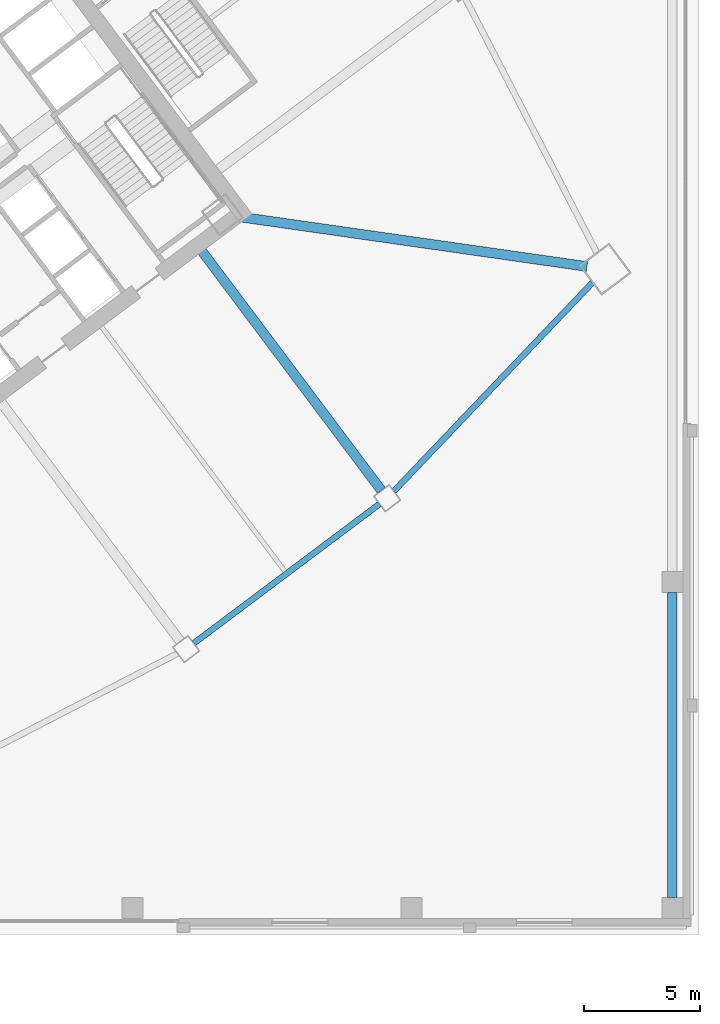
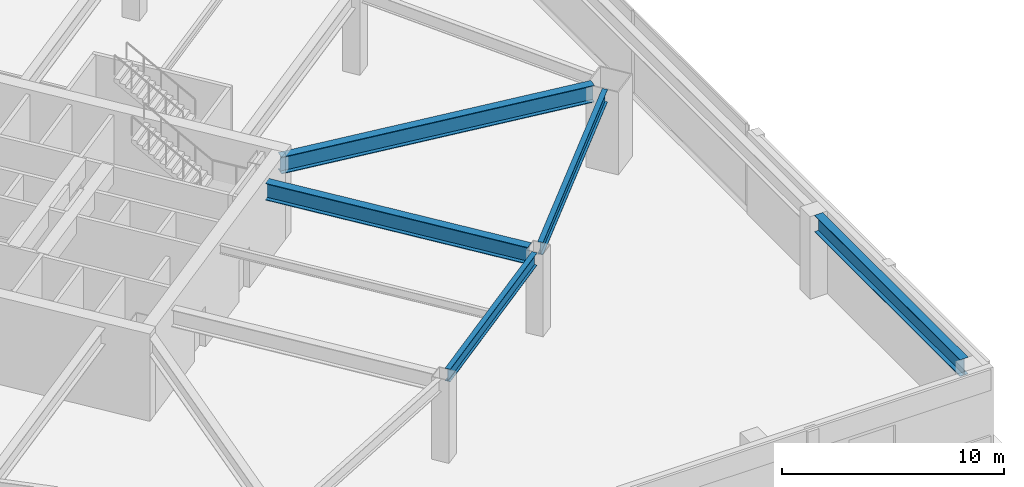
# One storey, part 25 of 44: 5 beams.
"""IFC4 building model written with IfcOpenShell, lengths in metres."""

import ifcopenshell
import ifcopenshell.guid

model = None  # the IFC model being written
_history = None  # IfcOwnerHistory: only IFC2X3 demands one
_inside = {}  # id of a spatial element -> (the spatial element, [elements in it])
_under = {}  # id of a project, library or spatial element -> (it, [spatial elements below it])
_declared = {}  # id of a project -> (the project, [libraries it declares])
_typed = {}  # id of a type object -> (the type object, [elements of that type])
_made_of = {}  # id of a material, layer set ... -> (it, [elements and type objects made of it])


def new_model(schema):
    """Start an empty IFC model of exactly this schema.

    Asked for "IFC4X3", IfcOpenShell would pick the latest addendum, in which some entities
    have other attributes; the version numbers below select the first issue.
    IFC2X3 requires an IfcOwnerHistory on every rooted entity: one is made here for all.
    """
    global model, _history
    if schema == "IFC4X3":
        model = ifcopenshell.file(schema_version=(4, 3, 0, 0))
    else:
        model = ifcopenshell.file(schema=schema)
    _inside.clear()
    _under.clear()
    _declared.clear()
    _typed.clear()
    _made_of.clear()
    _history = None
    if model.schema == "IFC2X3":
        org = make("IfcOrganization", Name="unknown")
        user = make(
            "IfcPersonAndOrganization",
            ThePerson=make("IfcPerson", FamilyName="unknown"),
            TheOrganization=org,
        )
        app = make(
            "IfcApplication",
            ApplicationDeveloper=org,
            Version="unknown",
            ApplicationFullName="unknown",
            ApplicationIdentifier="unknown",
        )
        _history = make(
            "IfcOwnerHistory",
            OwningUser=user,
            OwningApplication=app,
            ChangeAction="ADDED",
            CreationDate=0,
        )
    return model


def make(cls, **values):
    """One entity of the class cls with the attributes given. An attribute that is None is left unset."""
    return model.create_entity(
        cls, **{name: value for name, value in values.items() if value is not None}
    )


def rooted(cls, **values):
    """An entity with a GlobalId (a new one), such as an element, a storey or a relation."""
    return make(cls, GlobalId=ifcopenshell.guid.new(), OwnerHistory=_history, **values)


def si_unit(unit_type, name, prefix=None):
    """IfcSIUnit, for example si_unit("LENGTHUNIT", "METRE", prefix="MILLI")."""
    return make("IfcSIUnit", UnitType=unit_type, Prefix=prefix, Name=name)


def assignment(units):
    """IfcUnitAssignment: the units of a project."""
    return None if units is None else make("IfcUnitAssignment", Units=units)


def point(xyz):
    """IfcCartesianPoint."""
    return None if xyz is None else make("IfcCartesianPoint", Coordinates=xyz)


def direction(xyz):
    """IfcDirection."""
    return None if xyz is None else make("IfcDirection", DirectionRatios=xyz)


def frame(location, z_axis=None, x_axis=None):
    """IfcAxis2Placement3D, a coordinate frame: its origin and axes. An axis left out is left unset."""
    return make(
        "IfcAxis2Placement3D",
        Location=point(location),
        Axis=direction(z_axis),
        RefDirection=direction(x_axis),
    )


def frame_2d(location, x_axis=None):
    """IfcAxis2Placement2D, a coordinate frame in the plane: its origin and x axis."""
    return make(
        "IfcAxis2Placement2D", Location=point(location), RefDirection=direction(x_axis)
    )


def origin():
    """The frame at (0, 0, 0) with its axes left unset."""
    return frame((0.0, 0.0, 0.0))


def origin_2d():
    """The frame at (0, 0) in the plane with its x axis left unset."""
    return frame_2d((0.0, 0.0))


def place(relative_to, where):
    """IfcLocalPlacement: puts the frame where relative to a parent placement (None: the world)."""
    return make(
        "IfcLocalPlacement", PlacementRelTo=relative_to, RelativePlacement=where
    )


def context(
    kind, dimensions, precision=None, world=None, true_north=None, identifier=None
):
    """IfcGeometricRepresentationContext, for example the 3D "Model" context."""
    return make(
        "IfcGeometricRepresentationContext",
        ContextIdentifier=identifier,
        ContextType=kind,
        CoordinateSpaceDimension=dimensions,
        Precision=precision,
        WorldCoordinateSystem=world,
        TrueNorth=true_north,
    )


def subcontext(parent, identifier, kind, view, scale=None):
    """IfcGeometricRepresentationSubContext, for example "Body" below "Model"."""
    return make(
        "IfcGeometricRepresentationSubContext",
        ContextIdentifier=identifier,
        ContextType=kind,
        ParentContext=parent,
        TargetScale=scale,
        TargetView=view,
    )


def project(units=None, contexts=None):
    """IfcProject with its units and contexts."""
    return rooted(
        "IfcProject",
        Name="project",
        RepresentationContexts=contexts,
        UnitsInContext=assignment(units),
    )


def spatial(cls, under=None, at=None, **own):
    """A site, building, storey or space (cls), placed at a placement, below another one or the project."""
    s = rooted(cls, ObjectPlacement=at, **own)
    if under is not None:
        _under.setdefault(under.id(), (under, []))[1].append(s)
    return s


def profile(cls, at=None, kind="AREA", **sizes):
    """A parametric profile (cls). Its sizes go by their IFC names, for example OverallWidth=200.0."""
    return make(cls, ProfileType=kind, Position=at, **sizes)


def i_section(**sizes):
    """IfcIShapeProfileDef."""
    return profile("IfcIShapeProfileDef", **sizes)


def extrude(swept, where, along, depth):
    """IfcExtrudedAreaSolid: the profile swept, set in the frame where, extruded along a direction by depth."""
    return make(
        "IfcExtrudedAreaSolid",
        SweptArea=swept,
        Position=where,
        ExtrudedDirection=direction(along),
        Depth=depth,
    )


def shape(context_of_items, identifier, shape_type, items):
    """IfcShapeRepresentation: the items that make up one representation, for example the "Body"."""
    return make(
        "IfcShapeRepresentation",
        ContextOfItems=context_of_items,
        RepresentationIdentifier=identifier,
        RepresentationType=shape_type,
        Items=items,
    )


def material(Name=None, Category=None):
    """IfcMaterial."""
    return make("IfcMaterial", Name=Name, Category=Category)


def material_profile(
    of_material, cross_section, Name=None, Category=None, Priority=None
):
    """IfcMaterialProfile: a cross section and its material."""
    return make(
        "IfcMaterialProfile",
        Name=Name,
        Material=of_material,
        Profile=cross_section,
        Priority=Priority,
        Category=Category,
    )


def profile_set(profiles, Name=None, composite=None):
    """IfcMaterialProfileSet."""
    return make(
        "IfcMaterialProfileSet",
        Name=Name,
        MaterialProfiles=profiles,
        CompositeProfile=composite,
    )


def made_of(thing, what):
    """Note that an element or type object is made of a material, layer set ...; save() writes the relation."""
    if what is not None:
        _made_of.setdefault(what.id(), (what, []))[1].append(thing)
    return thing


def type_object(cls, material=None, **own):
    """A type object (cls), such as IfcWallType, which elements share."""
    return made_of(rooted(cls, **own), material)


def element(
    cls,
    number,
    at=None,
    inside=None,
    cuts=None,
    type_object=None,
    material=None,
    context=None,
    identifier="Body",
    shape_type=None,
    held_by="IfcProductDefinitionShape",
    body=None,
    shapes=None,
    **own,
):
    """One element of the class cls, such as IfcWall. Its Tag is "e" and its number.

    at: its placement. inside: the storey or other place that contains it. cuts: it is an
    opening in that element (IfcRelVoidsElement). A single representation is given by context,
    identifier, shape_type and body (its items); several are given by shapes. held_by: the class
    of the entity that holds the representations. save() writes the other relations.
    """
    e = rooted(cls, Tag="e%d" % number, ObjectPlacement=at, **own)
    if body is not None:
        shapes = [shape(context, identifier, shape_type, body)]
    if shapes is not None:
        e.Representation = make(held_by, Representations=shapes)
    if inside is not None:
        _inside.setdefault(inside.id(), (inside, []))[1].append(e)
    if cuts is not None:
        rooted(
            "IfcRelVoidsElement", RelatingBuildingElement=cuts, RelatedOpeningElement=e
        )
    if type_object is not None:
        _typed.setdefault(type_object.id(), (type_object, []))[1].append(e)
    return made_of(e, material)


def aggregate(whole, parts):
    """IfcRelAggregates: a whole, such as a stair, and the parts it consists of."""
    return rooted("IfcRelAggregates", RelatingObject=whole, RelatedObjects=parts)


def save(model, path):
    """Write the relations noted so far, then the file.

    IfcRelAggregates (storeys below a building ...), IfcRelContainedInSpatialStructure (elements
    in a storey), IfcRelDefinesByType, IfcRelAssociatesMaterial and IfcRelDeclares: one each for
    every whole, place, type object, material and project.
    """
    for whole, parts in _under.values():
        aggregate(whole, parts)
    for where, things in _inside.values():
        rooted(
            "IfcRelContainedInSpatialStructure",
            RelatedElements=things,
            RelatingStructure=where,
        )
    for kind, things in _typed.values():
        rooted("IfcRelDefinesByType", RelatedObjects=things, RelatingType=kind)
    for what, things in _made_of.values():
        rooted("IfcRelAssociatesMaterial", RelatedObjects=things, RelatingMaterial=what)
    for by, libraries in _declared.values():
        rooted("IfcRelDeclares", RelatingContext=by, RelatedDefinitions=libraries)
    model.write(path)


model = new_model("IFC4")

# Units and contexts
model_context = context("Model", 3, precision=1e-05, world=origin(), true_north=direction((0.0, 1.0)))
body_context = subcontext(model_context, "Body", "Model", "MODEL_VIEW")
ifc_project = project(units=[si_unit("LENGTHUNIT", "METRE"), si_unit("AREAUNIT", "SQUARE_METRE"), si_unit("VOLUMEUNIT", "CUBIC_METRE"), si_unit("PLANEANGLEUNIT", "RADIAN"), si_unit("MASSUNIT", "GRAM", prefix="KILO")], contexts=[model_context])

# Site, building, storey
site_placement = place(None, origin())
site = spatial("IfcSite", under=ifc_project, at=site_placement, CompositionType="ELEMENT")
building_placement = place(site_placement, origin())
building = spatial("IfcBuilding", under=site, at=building_placement, Name="Tashvorn Skyway Center", CompositionType="ELEMENT")
storey_placement = place(building_placement, frame((0.0, 0.0, 5.39990234375)))
storey = spatial("IfcBuildingStorey", under=building, at=storey_placement, Name="L01", CompositionType="ELEMENT", Elevation=5.39990234375)

# Beams
ifc_material_1 = material(Name="Steel ASTM A913 Grade 65", Category="steel")
ifc_material_profile_1 = material_profile(ifc_material_1, i_section(OverallWidth=0.4189453125, OverallDepth=0.927001953125, WebThickness=0.019287109375, FlangeThickness=0.031982421875, at=origin_2d()), Name="W36X231")
ifc_profile_set_1 = profile_set([ifc_material_profile_1], Name="Steel ASTM A913 Grade 65")
beam_type_1 = type_object("IfcBeamType", Name="BM-BEAM-W36X231", PredefinedType="BEAM", material=ifc_profile_set_1)
beam_1_placement = place(storey_placement, frame((139.532958984375, 28.3525390625, 4.07666015625), z_axis=(-0.989950458816, 0.141414599991, 0.0), x_axis=(-0.141414599991, -0.989950458816, 0.0)))
element("IfcBeam", 1, at=beam_1_placement, inside=storey, type_object=beam_type_1, Name="Tower 2 L01 Primary Floor Girder MC-SE", PredefinedType="BEAM", context=body_context, shape_type="SweptSolid", body=[
    extrude(i_section(OverallWidth=0.4189453125, OverallDepth=0.927001953125, WebThickness=0.019287109375, FlangeThickness=0.031982421875, at=origin_2d()), origin(), (0.0, 0.0, 1.0), 15.177001953125),
])
beam_2_placement = place(storey_placement, frame((130.697998046875, 18.736083984375, 4.07666015625), z_axis=(-0.599996960112, 0.800002279907, 0.0), x_axis=(-0.800002279907, -0.599996960112, 0.0)))
element("IfcBeam", 2, at=beam_2_placement, inside=storey, type_object=beam_type_1, Name="Tower 2 L01 Primary Floor Girder FC-S2", PredefinedType="BEAM", context=body_context, shape_type="SweptSolid", body=[
    extrude(i_section(OverallWidth=0.4189453125, OverallDepth=0.927001953125, WebThickness=0.019287109375, FlangeThickness=0.031982421875, at=origin_2d()), origin(), (0.0, 0.0, 1.0), 12.85009765625),
])
beam_3_placement = place(storey_placement, frame((143.199951171875, 1.2451171875, 4.07666015625), z_axis=(0.0, 1.0, 0.0), x_axis=(-1.0, 0.0, 0.0)))
element("IfcBeam", 3, at=beam_3_placement, inside=storey, type_object=beam_type_1, Name="L01 North-South Podium Girder 06-S", PredefinedType="BEAM", context=body_context, shape_type="SweptSolid", body=[
    extrude(i_section(OverallWidth=0.4189453125, OverallDepth=0.927001953125, WebThickness=0.019287109375, FlangeThickness=0.031982421875, at=origin_2d()), origin(), (0.0, 0.0, 1.0), 13.10986328125),
])
ifc_material_2 = material(Name="Steel ASTM A992 Grade 50", Category="steel")
ifc_material_profile_2 = material_profile(ifc_material_2, i_section(OverallWidth=0.256103515625, OverallDepth=0.693115234375, WebThickness=0.014404296875, FlangeThickness=0.023681640625, at=origin_2d()), Name="W27X114")
ifc_profile_set_2 = profile_set([ifc_material_profile_2], Name="Steel ASTM A992 Grade 50")
beam_type_2 = type_object("IfcBeamType", Name="BM-SPANDREL-W27X114", PredefinedType="SPANDREL", material=ifc_profile_set_2)
beam_4_placement = place(storey_placement, frame((122.64599609375, 12.172119140625, 4.193603515625), z_axis=(0.800008824351, 0.599988234018, 0.0), x_axis=(-0.599988234018, 0.800008824351, 0.0)))
element("IfcBeam", 4, at=beam_4_placement, inside=storey, type_object=beam_type_2, Name="Tower 2 L01 Spandrel Beam 02", PredefinedType="SPANDREL", context=body_context, shape_type="SweptSolid", body=[
    extrude(i_section(OverallWidth=0.256103515625, OverallDepth=0.693115234375, WebThickness=0.014404296875, FlangeThickness=0.023681640625, at=origin_2d()), origin(), (0.0, 0.0, 1.0), 9.9599609375),
])
beam_5_placement = place(storey_placement, frame((131.23974609375, 18.7041015625, 4.193603515625), z_axis=(0.689589637236, 0.724200339835, 0.0), x_axis=(-0.724200339835, 0.689589637236, 0.0)))
element("IfcBeam", 5, at=beam_5_placement, inside=storey, type_object=beam_type_2, Name="Tower 2 L01 Spandrel Beam 03", PredefinedType="SPANDREL", context=body_context, shape_type="SweptSolid", body=[
    extrude(i_section(OverallWidth=0.256103515625, OverallDepth=0.693115234375, WebThickness=0.014404296875, FlangeThickness=0.023681640625, at=origin_2d()), origin(), (0.0, 0.0, 1.0), 12.37255859375),
])

save(model, "model.ifc")
